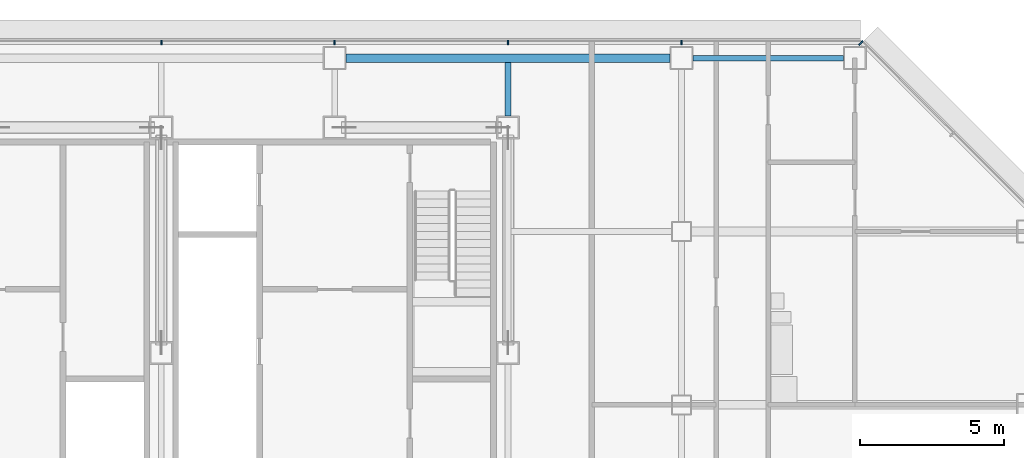
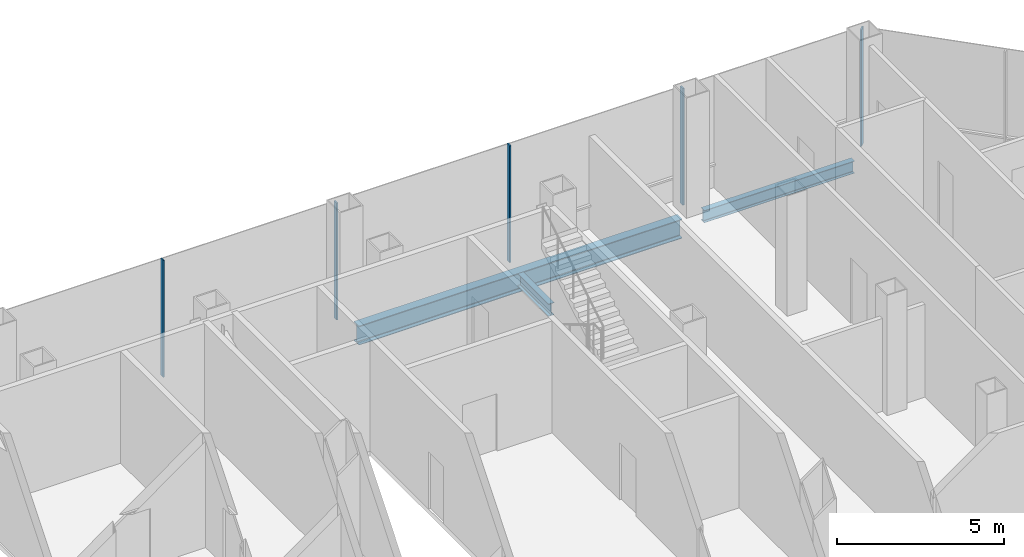
# One storey, part 14 of 28: 5 members, 3 beams, 2 elements without a shape of their own.
"""IFC4 building model written with IfcOpenShell, lengths in metres."""

import ifcopenshell
import ifcopenshell.guid

model = None  # the IFC model being written
_history = None  # IfcOwnerHistory: only IFC2X3 demands one
_inside = {}  # id of a spatial element -> (the spatial element, [elements in it])
_under = {}  # id of a project, library or spatial element -> (it, [spatial elements below it])
_declared = {}  # id of a project -> (the project, [libraries it declares])
_typed = {}  # id of a type object -> (the type object, [elements of that type])
_made_of = {}  # id of a material, layer set ... -> (it, [elements and type objects made of it])


def new_model(schema):
    """Start an empty IFC model of exactly this schema.

    Asked for "IFC4X3", IfcOpenShell would pick the latest addendum, in which some entities
    have other attributes; the version numbers below select the first issue.
    IFC2X3 requires an IfcOwnerHistory on every rooted entity: one is made here for all.
    """
    global model, _history
    if schema == "IFC4X3":
        model = ifcopenshell.file(schema_version=(4, 3, 0, 0))
    else:
        model = ifcopenshell.file(schema=schema)
    _inside.clear()
    _under.clear()
    _declared.clear()
    _typed.clear()
    _made_of.clear()
    _history = None
    if model.schema == "IFC2X3":
        org = make("IfcOrganization", Name="unknown")
        user = make(
            "IfcPersonAndOrganization",
            ThePerson=make("IfcPerson", FamilyName="unknown"),
            TheOrganization=org,
        )
        app = make(
            "IfcApplication",
            ApplicationDeveloper=org,
            Version="unknown",
            ApplicationFullName="unknown",
            ApplicationIdentifier="unknown",
        )
        _history = make(
            "IfcOwnerHistory",
            OwningUser=user,
            OwningApplication=app,
            ChangeAction="ADDED",
            CreationDate=0,
        )
    return model


def make(cls, **values):
    """One entity of the class cls with the attributes given. An attribute that is None is left unset."""
    return model.create_entity(
        cls, **{name: value for name, value in values.items() if value is not None}
    )


def rooted(cls, **values):
    """An entity with a GlobalId (a new one), such as an element, a storey or a relation."""
    return make(cls, GlobalId=ifcopenshell.guid.new(), OwnerHistory=_history, **values)


def si_unit(unit_type, name, prefix=None):
    """IfcSIUnit, for example si_unit("LENGTHUNIT", "METRE", prefix="MILLI")."""
    return make("IfcSIUnit", UnitType=unit_type, Prefix=prefix, Name=name)


def assignment(units):
    """IfcUnitAssignment: the units of a project."""
    return None if units is None else make("IfcUnitAssignment", Units=units)


def point(xyz):
    """IfcCartesianPoint."""
    return None if xyz is None else make("IfcCartesianPoint", Coordinates=xyz)


def direction(xyz):
    """IfcDirection."""
    return None if xyz is None else make("IfcDirection", DirectionRatios=xyz)


def frame(location, z_axis=None, x_axis=None):
    """IfcAxis2Placement3D, a coordinate frame: its origin and axes. An axis left out is left unset."""
    return make(
        "IfcAxis2Placement3D",
        Location=point(location),
        Axis=direction(z_axis),
        RefDirection=direction(x_axis),
    )


def frame_2d(location, x_axis=None):
    """IfcAxis2Placement2D, a coordinate frame in the plane: its origin and x axis."""
    return make(
        "IfcAxis2Placement2D", Location=point(location), RefDirection=direction(x_axis)
    )


def origin():
    """The frame at (0, 0, 0) with its axes left unset."""
    return frame((0.0, 0.0, 0.0))


def origin_2d():
    """The frame at (0, 0) in the plane with its x axis left unset."""
    return frame_2d((0.0, 0.0))


def place(relative_to, where):
    """IfcLocalPlacement: puts the frame where relative to a parent placement (None: the world)."""
    return make(
        "IfcLocalPlacement", PlacementRelTo=relative_to, RelativePlacement=where
    )


def context(
    kind, dimensions, precision=None, world=None, true_north=None, identifier=None
):
    """IfcGeometricRepresentationContext, for example the 3D "Model" context."""
    return make(
        "IfcGeometricRepresentationContext",
        ContextIdentifier=identifier,
        ContextType=kind,
        CoordinateSpaceDimension=dimensions,
        Precision=precision,
        WorldCoordinateSystem=world,
        TrueNorth=true_north,
    )


def subcontext(parent, identifier, kind, view, scale=None):
    """IfcGeometricRepresentationSubContext, for example "Body" below "Model"."""
    return make(
        "IfcGeometricRepresentationSubContext",
        ContextIdentifier=identifier,
        ContextType=kind,
        ParentContext=parent,
        TargetScale=scale,
        TargetView=view,
    )


def project(units=None, contexts=None):
    """IfcProject with its units and contexts."""
    return rooted(
        "IfcProject",
        Name="project",
        RepresentationContexts=contexts,
        UnitsInContext=assignment(units),
    )


def spatial(cls, under=None, at=None, **own):
    """A site, building, storey or space (cls), placed at a placement, below another one or the project."""
    s = rooted(cls, ObjectPlacement=at, **own)
    if under is not None:
        _under.setdefault(under.id(), (under, []))[1].append(s)
    return s


def profile(cls, at=None, kind="AREA", **sizes):
    """A parametric profile (cls). Its sizes go by their IFC names, for example OverallWidth=200.0."""
    return make(cls, ProfileType=kind, Position=at, **sizes)


def rectangle(**sizes):
    """IfcRectangleProfileDef."""
    return profile("IfcRectangleProfileDef", **sizes)


def i_section(**sizes):
    """IfcIShapeProfileDef."""
    return profile("IfcIShapeProfileDef", **sizes)


def extrude(swept, where, along, depth):
    """IfcExtrudedAreaSolid: the profile swept, set in the frame where, extruded along a direction by depth."""
    return make(
        "IfcExtrudedAreaSolid",
        SweptArea=swept,
        Position=where,
        ExtrudedDirection=direction(along),
        Depth=depth,
    )


def shape(context_of_items, identifier, shape_type, items):
    """IfcShapeRepresentation: the items that make up one representation, for example the "Body"."""
    return make(
        "IfcShapeRepresentation",
        ContextOfItems=context_of_items,
        RepresentationIdentifier=identifier,
        RepresentationType=shape_type,
        Items=items,
    )


def material(Name=None, Category=None):
    """IfcMaterial."""
    return make("IfcMaterial", Name=Name, Category=Category)


def material_profile(
    of_material, cross_section, Name=None, Category=None, Priority=None
):
    """IfcMaterialProfile: a cross section and its material."""
    return make(
        "IfcMaterialProfile",
        Name=Name,
        Material=of_material,
        Profile=cross_section,
        Priority=Priority,
        Category=Category,
    )


def profile_set(profiles, Name=None, composite=None):
    """IfcMaterialProfileSet."""
    return make(
        "IfcMaterialProfileSet",
        Name=Name,
        MaterialProfiles=profiles,
        CompositeProfile=composite,
    )


def made_of(thing, what):
    """Note that an element or type object is made of a material, layer set ...; save() writes the relation."""
    if what is not None:
        _made_of.setdefault(what.id(), (what, []))[1].append(thing)
    return thing


def type_object(cls, material=None, **own):
    """A type object (cls), such as IfcWallType, which elements share."""
    return made_of(rooted(cls, **own), material)


def element(
    cls,
    number,
    at=None,
    inside=None,
    cuts=None,
    type_object=None,
    material=None,
    context=None,
    identifier="Body",
    shape_type=None,
    held_by="IfcProductDefinitionShape",
    body=None,
    shapes=None,
    **own,
):
    """One element of the class cls, such as IfcWall. Its Tag is "e" and its number.

    at: its placement. inside: the storey or other place that contains it. cuts: it is an
    opening in that element (IfcRelVoidsElement). A single representation is given by context,
    identifier, shape_type and body (its items); several are given by shapes. held_by: the class
    of the entity that holds the representations. save() writes the other relations.
    """
    e = rooted(cls, Tag="e%d" % number, ObjectPlacement=at, **own)
    if body is not None:
        shapes = [shape(context, identifier, shape_type, body)]
    if shapes is not None:
        e.Representation = make(held_by, Representations=shapes)
    if inside is not None:
        _inside.setdefault(inside.id(), (inside, []))[1].append(e)
    if cuts is not None:
        rooted(
            "IfcRelVoidsElement", RelatingBuildingElement=cuts, RelatedOpeningElement=e
        )
    if type_object is not None:
        _typed.setdefault(type_object.id(), (type_object, []))[1].append(e)
    return made_of(e, material)


def aggregate(whole, parts):
    """IfcRelAggregates: a whole, such as a stair, and the parts it consists of."""
    return rooted("IfcRelAggregates", RelatingObject=whole, RelatedObjects=parts)


def save(model, path):
    """Write the relations noted so far, then the file.

    IfcRelAggregates (storeys below a building ...), IfcRelContainedInSpatialStructure (elements
    in a storey), IfcRelDefinesByType, IfcRelAssociatesMaterial and IfcRelDeclares: one each for
    every whole, place, type object, material and project.
    """
    for whole, parts in _under.values():
        aggregate(whole, parts)
    for where, things in _inside.values():
        rooted(
            "IfcRelContainedInSpatialStructure",
            RelatedElements=things,
            RelatingStructure=where,
        )
    for kind, things in _typed.values():
        rooted("IfcRelDefinesByType", RelatedObjects=things, RelatingType=kind)
    for what, things in _made_of.values():
        rooted("IfcRelAssociatesMaterial", RelatedObjects=things, RelatingMaterial=what)
    for by, libraries in _declared.values():
        rooted("IfcRelDeclares", RelatingContext=by, RelatedDefinitions=libraries)
    model.write(path)


model = new_model("IFC4")

# Units and contexts
model_context = context("Model", 3, precision=1e-05, world=origin(), true_north=direction((0.0, 1.0)))
body_context = subcontext(model_context, "Body", "Model", "MODEL_VIEW")
ifc_project = project(units=[si_unit("LENGTHUNIT", "METRE"), si_unit("AREAUNIT", "SQUARE_METRE"), si_unit("VOLUMEUNIT", "CUBIC_METRE"), si_unit("PLANEANGLEUNIT", "RADIAN"), si_unit("MASSUNIT", "GRAM", prefix="KILO")], contexts=[model_context])

# Site, building, storey
site_placement = place(None, origin())
site = spatial("IfcSite", under=ifc_project, at=site_placement, CompositionType="ELEMENT")
building_placement = place(site_placement, origin())
building = spatial("IfcBuilding", under=site, at=building_placement, Name="Sorahane Residences", CompositionType="ELEMENT")
storey_placement = place(building_placement, frame((0.0, 0.0, 134.0)))
storey = spatial("IfcBuildingStorey", under=building, at=storey_placement, Name="L30", CompositionType="ELEMENT", Elevation=134.0)

# Curtain wall, members
ifc_material_1 = material(Name="Dark low-e glass and black anodised aluminium", Category="aluminium")
curtain_wall_type_1 = type_object("IfcCurtainWallType", Name="Curtain wall CW-1 Typical unitised wall", PredefinedType="NOTDEFINED", material=ifc_material_1)
curtain_wall_1_placement = place(storey_placement, origin())
curtain_wall_1 = element("IfcCurtainWall", 1, at=curtain_wall_1_placement, inside=storey, type_object=curtain_wall_type_1, Name="CW-1 curtain wall L30 N1", PredefinedType="NOTDEFINED")
ifc_material_2 = material(Name="Black anodised aluminium", Category="aluminium")
ifc_material_profile_1 = material_profile(ifc_material_2, rectangle(XDim=0.159912109375, YDim=0.050048828125, at=origin_2d()), Name="Curtain wall mullion CW-1 black anodised aluminium 50x160")
ifc_profile_set_1 = profile_set([ifc_material_profile_1], Name="Black anodised aluminium")
member_type_1 = type_object("IfcMemberType", Name="Curtain wall mullion CW-1 black anodised aluminium 50x160", PredefinedType="MULLION", material=ifc_profile_set_1)
member_1_placement = place(storey_placement, frame((48.0, 48.5400390625, -0.179931640625), z_axis=(0.0, 0.0, 1.0), x_axis=(0.0, 1.0, 0.0)))
member_1 = element("IfcMember", 2, at=member_1_placement, type_object=member_type_1, Name="CW-1 mullion L30 N1.2", PredefinedType="MULLION", context=body_context, shape_type="SweptSolid", body=[
    extrude(rectangle(XDim=0.159912109375, YDim=0.050048828125, at=origin_2d()), origin(), (0.0, 0.0, 1.0), 4.280029296875),
])
member_2_placement = place(storey_placement, frame((42.0, 48.5400390625, -0.179931640625), z_axis=(0.0, 0.0, 1.0), x_axis=(0.0, 1.0, 0.0)))
member_2 = element("IfcMember", 3, at=member_2_placement, type_object=member_type_1, Name="CW-1 mullion L30 N1.3", PredefinedType="MULLION", context=body_context, shape_type="SweptSolid", body=[
    extrude(rectangle(XDim=0.159912109375, YDim=0.050048828125, at=origin_2d()), origin(), (0.0, 0.0, 1.0), 4.280029296875),
])
member_3_placement = place(storey_placement, frame((36.0, 48.5400390625, -0.179931640625), z_axis=(0.0, 0.0, 1.0), x_axis=(0.0, 1.0, 0.0)))
member_3 = element("IfcMember", 4, at=member_3_placement, type_object=member_type_1, Name="CW-1 mullion L30 N1.4", PredefinedType="MULLION", context=body_context, shape_type="SweptSolid", body=[
    extrude(rectangle(XDim=0.159912109375, YDim=0.050048828125, at=origin_2d()), origin(), (0.0, 0.0, 1.0), 4.280029296875),
])
member_4_placement = place(storey_placement, frame((30.0, 48.5400390625, -0.179931640625), z_axis=(0.0, 0.0, 1.0), x_axis=(0.0, 1.0, 0.0)))
member_4 = element("IfcMember", 5, at=member_4_placement, type_object=member_type_1, Name="CW-1 mullion L30 N1.5", PredefinedType="MULLION", context=body_context, shape_type="SweptSolid", body=[
    extrude(rectangle(XDim=0.159912109375, YDim=0.050048828125, at=origin_2d()), origin(), (0.0, 0.0, 1.0), 4.280029296875),
])
aggregate(curtain_wall_1, [member_1, member_2, member_3, member_4])

# Curtain wall, member
ifc_material_3 = material(Name="Dark low-e glass and black anodised aluminium", Category="aluminium")
curtain_wall_type_2 = type_object("IfcCurtainWallType", Name="Curtain wall CW-2 Chamfer unitised wall", PredefinedType="NOTDEFINED", material=ifc_material_3)
curtain_wall_2_placement = place(storey_placement, origin())
curtain_wall_2 = element("IfcCurtainWall", 6, at=curtain_wall_2_placement, inside=storey, type_object=curtain_wall_type_2, Name="CW-2 curtain wall L30 NE1", PredefinedType="NOTDEFINED")
ifc_material_4 = material(Name="Black anodised aluminium", Category="aluminium")
ifc_material_profile_2 = material_profile(ifc_material_4, rectangle(XDim=0.199951171875, YDim=0.050048828125, at=origin_2d()), Name="Curtain wall mullion CW-2 black anodised aluminium 50x200")
ifc_profile_set_2 = profile_set([ifc_material_profile_2], Name="Black anodised aluminium")
member_type_2 = type_object("IfcMemberType", Name="Curtain wall mullion CW-2 black anodised aluminium 50x200", PredefinedType="MULLION", material=ifc_profile_set_2)
member_5_placement = place(storey_placement, frame((54.209716796875, 48.525634765625, -0.179931640625), z_axis=(0.0, 0.0, 1.0), x_axis=(0.707106781187, 0.707106781187, 0.0)))
member_5 = element("IfcMember", 7, at=member_5_placement, type_object=member_type_2, Name="CW-2 mullion L30 NE1.3", PredefinedType="MULLION", context=body_context, shape_type="SweptSolid", body=[
    extrude(rectangle(XDim=0.199951171875, YDim=0.050048828125, at=origin_2d()), origin(), (0.0, 0.0, 1.0), 4.280029296875),
])
aggregate(curtain_wall_2, [member_5])

# Beams
ifc_material_5 = material(Name="Steel Q355B", Category="steel")
ifc_material_profile_3 = material_profile(ifc_material_5, i_section(OverallWidth=0.199951171875, OverallDepth=0.449951171875, WebThickness=0.009033203125, FlangeThickness=0.013916015625, FilletRadius=0.02001953125, at=origin_2d()), Name="HN 450x200x9x14")
ifc_profile_set_3 = profile_set([ifc_material_profile_3], Name="Steel Q355B")
beam_type_1 = type_object("IfcBeamType", Name="Steel floor beam HN 450x200x9x14 Q355B", PredefinedType="BEAM", material=ifc_profile_set_3)
beam_1_placement = place(storey_placement, frame((48.39990234375, 48.0, -0.405029296875), z_axis=(1.0, 0.0, 0.0), x_axis=(0.0, 1.0, 0.0)))
element("IfcBeam", 8, at=beam_1_placement, inside=storey, type_object=beam_type_1, Name="Beam L30 019", PredefinedType="BEAM", context=body_context, shape_type="SweptSolid", body=[
    extrude(i_section(OverallWidth=0.199951171875, OverallDepth=0.449951171875, WebThickness=0.009033203125, FlangeThickness=0.013916015625, FilletRadius=0.02001953125, at=origin_2d()), origin(), (0.0, 0.0, 1.0), 5.2001953125),
])
beam_2_placement = place(storey_placement, frame((42.0, 46.0, -0.405029296875), z_axis=(0.0, 1.0, 0.0), x_axis=(-1.0, 0.0, 0.0)))
element("IfcBeam", 9, at=beam_2_placement, inside=storey, type_object=beam_type_1, Name="Beam L30 056", PredefinedType="BEAM", context=body_context, shape_type="SweptSolid", body=[
    extrude(i_section(OverallWidth=0.199951171875, OverallDepth=0.449951171875, WebThickness=0.009033203125, FlangeThickness=0.013916015625, FilletRadius=0.02001953125, at=origin_2d()), origin(), (0.0, 0.0, 1.0), 1.85009765625),
])
ifc_material_6 = material(Name="Steel Q355B", Category="steel")
ifc_material_profile_4 = material_profile(ifc_material_6, i_section(OverallWidth=0.300048828125, OverallDepth=0.699951171875, WebThickness=0.012939453125, FlangeThickness=0.02392578125, FilletRadius=0.028076171875, at=origin_2d()), Name="HN 700x300x13x24")
ifc_profile_set_4 = profile_set([ifc_material_profile_4], Name="Steel Q355B")
beam_type_2 = type_object("IfcBeamType", Name="Steel floor beam HN 700x300x13x24 Q355B", PredefinedType="BEAM", material=ifc_profile_set_4)
beam_3_placement = place(storey_placement, frame((36.39990234375, 48.0, -0.530029296875), z_axis=(1.0, 0.0, 0.0), x_axis=(0.0, 1.0, 0.0)))
element("IfcBeam", 10, at=beam_3_placement, inside=storey, type_object=beam_type_2, Name="Beam L30 018", PredefinedType="BEAM", context=body_context, shape_type="SweptSolid", body=[
    extrude(i_section(OverallWidth=0.300048828125, OverallDepth=0.699951171875, WebThickness=0.012939453125, FlangeThickness=0.02392578125, FilletRadius=0.028076171875, at=origin_2d()), origin(), (0.0, 0.0, 1.0), 11.2001953125),
])

save(model, "model.ifc")
